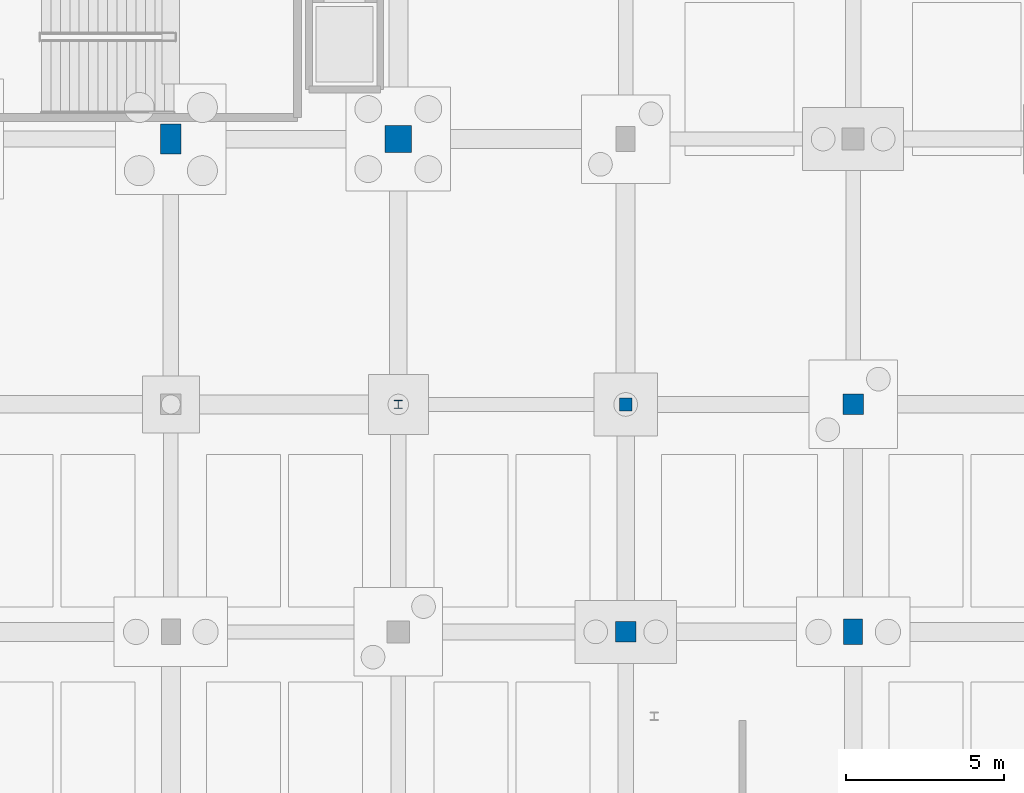
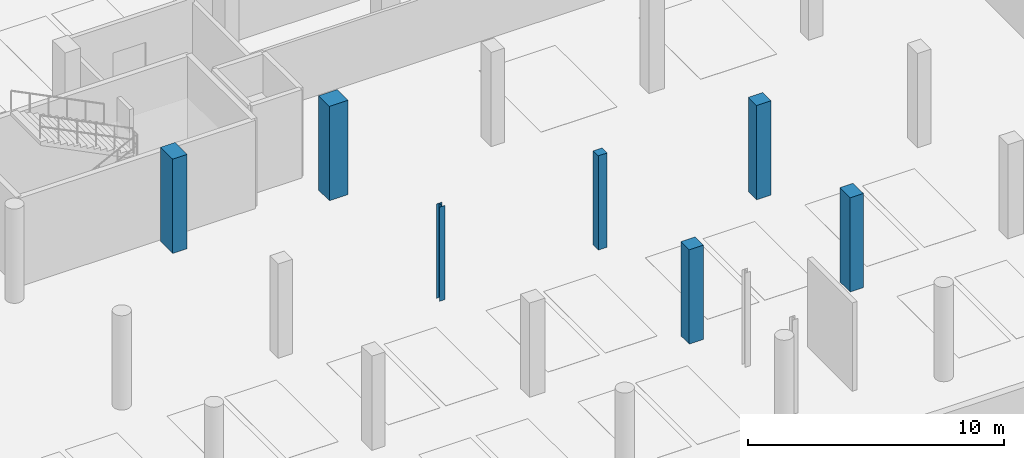
# One storey, part 17 of 35: 7 columns.
"""IFC4 building model written with IfcOpenShell, lengths in metres."""

from ifc_helpers import new_model, si_unit, direction, frame, origin, origin_2d, place, context, subcontext, project, spatial, rectangle, i_section, extrude, material, material_profile, profile_set, type_object, element, save


model = new_model("IFC4")

# Units and contexts
model_context = context("Model", 3, precision=1e-05, world=origin(), true_north=direction((0.0, 1.0)))
body_context = subcontext(model_context, "Body", "Model", "MODEL_VIEW")
ifc_project = project(units=[si_unit("LENGTHUNIT", "METRE"), si_unit("AREAUNIT", "SQUARE_METRE"), si_unit("VOLUMEUNIT", "CUBIC_METRE"), si_unit("PLANEANGLEUNIT", "RADIAN"), si_unit("MASSUNIT", "GRAM", prefix="KILO")], contexts=[model_context])

# Site, building, storey
site_placement = place(None, origin())
site = spatial("IfcSite", under=ifc_project, at=site_placement, CompositionType="ELEMENT")
building_placement = place(site_placement, origin())
building = spatial("IfcBuilding", under=site, at=building_placement, Name="Kalluvel Institute of Natural Sciences", CompositionType="ELEMENT")
storey_placement = place(building_placement, frame((0.0, 0.0, -4.5)))
storey = spatial("IfcBuildingStorey", under=building, at=storey_placement, Name="B1", CompositionType="ELEMENT", Elevation=-4.5)

# Columns
ifc_material_1 = material(Name="Steel E350 Grade 350", Category="steel")
ifc_material_profile_1 = material_profile(ifc_material_1, i_section(OverallWidth=0.25, OverallDepth=0.25, WebThickness=0.0087890625, FlangeThickness=0.009765625, FilletRadius=0.010009765625, at=origin_2d()), Name="ISHB 250")
ifc_profile_set_1 = profile_set([ifc_material_profile_1], Name="Steel E350 Grade 350")
column_type_1 = type_object("IfcColumnType", Name="COL-ISHB250", PredefinedType="COLUMN", material=ifc_profile_set_1)
column_1_placement = place(storey_placement, frame((57.199951171875, 86.0, 0.0), z_axis=(0.0, 0.0, 1.0), x_axis=(1.0, 0.0, 0.0)))
element("IfcColumn", 1, at=column_1_placement, inside=storey, type_object=column_type_1, Name="B1 structural column COL-B1-X572-Y860", PredefinedType="COLUMN", context=body_context, shape_type="SweptSolid", body=[
    extrude(i_section(OverallWidth=0.25, OverallDepth=0.25, WebThickness=0.0087890625, FlangeThickness=0.009765625, FilletRadius=0.010009765625, at=origin_2d()), origin(), (0.0, 0.0, 1.0), 4.5),
])
ifc_material_2 = material(Name="Concrete M40", Category="concrete")
ifc_material_profile_2 = material_profile(ifc_material_2, rectangle(XDim=0.39990234375, YDim=0.39990234375, at=origin_2d()), Name="RC 400x400")
ifc_profile_set_2 = profile_set([ifc_material_profile_2], Name="Concrete M40")
column_type_2 = type_object("IfcColumnType", Name="COL-RC400", PredefinedType="COLUMN", material=ifc_profile_set_2)
column_2_placement = place(storey_placement, frame((64.39990234375, 86.0, 0.0), z_axis=(0.0, 0.0, 1.0), x_axis=(1.0, 0.0, 0.0)))
element("IfcColumn", 2, at=column_2_placement, inside=storey, type_object=column_type_2, Name="B1 structural column COL-B1-X644-Y860", PredefinedType="COLUMN", context=body_context, shape_type="SweptSolid", body=[
    extrude(rectangle(XDim=0.39990234375, YDim=0.39990234375, at=origin_2d()), origin(), (0.0, 0.0, 1.0), 4.5),
])
ifc_material_3 = material(Name="Concrete M50", Category="concrete")
ifc_material_profile_3 = material_profile(ifc_material_3, rectangle(XDim=0.60009765625, YDim=0.800048828125, at=origin_2d()), Name="RC 600x800")
ifc_profile_set_3 = profile_set([ifc_material_profile_3], Name="Concrete M50")
column_type_3 = type_object("IfcColumnType", Name="COL-RC600x800", PredefinedType="COLUMN", material=ifc_profile_set_3)
column_3_placement = place(storey_placement, frame((71.60009765625, 78.800048828125, 0.0), z_axis=(0.0, 0.0, 1.0), x_axis=(1.0, 0.0, 0.0)))
element("IfcColumn", 3, at=column_3_placement, inside=storey, type_object=column_type_3, Name="B1 structural column COL-B1-X716-Y788", PredefinedType="COLUMN", context=body_context, shape_type="SweptSolid", body=[
    extrude(rectangle(XDim=0.60009765625, YDim=0.800048828125, at=origin_2d()), origin(), (0.0, 0.0, 1.0), 4.5),
])
ifc_material_profile_4 = material_profile(ifc_material_2, rectangle(XDim=0.64990234375, YDim=0.64990234375, at=origin_2d()), Name="RC 650x650")
ifc_profile_set_4 = profile_set([ifc_material_profile_4], Name="Concrete M40")
column_type_4 = type_object("IfcColumnType", Name="COL-RC650", PredefinedType="COLUMN", material=ifc_profile_set_4)
for number, where, z_axis, x_axis, name in (
    (4, (64.39990234375, 78.800048828125, 0.0), (0.0, 0.0, 1.0), (1.0, 0.0, 0.0), "B1 structural column COL-B1-X644-Y788"),
    (5, (71.60009765625, 86.0, 0.0), (0.0, 0.0, 1.0), (1.0, 0.0, 0.0), "B1 structural column COL-B1-X716-Y860"),
):
    element("IfcColumn", number, at=place(storey_placement, frame(where, z_axis=z_axis, x_axis=x_axis)), inside=storey, type_object=column_type_4, Name=name, PredefinedType="COLUMN", context=body_context, shape_type="SweptSolid", body=[
        extrude(rectangle(XDim=0.64990234375, YDim=0.64990234375, at=origin_2d()), origin(), (0.0, 0.0, 1.0), 4.5),
    ])
ifc_material_profile_5 = material_profile(ifc_material_3, rectangle(XDim=0.64990234375, YDim=0.949951171875, at=origin_2d()), Name="RC 650x950")
ifc_profile_set_5 = profile_set([ifc_material_profile_5], Name="Concrete M50")
column_type_5 = type_object("IfcColumnType", Name="COL-RC650x950", PredefinedType="COLUMN", material=ifc_profile_set_5)
column_4_placement = place(storey_placement, frame((50.0, 94.39990234375, 0.0), z_axis=(0.0, 0.0, 1.0), x_axis=(1.0, 0.0, 0.0)))
element("IfcColumn", 6, at=column_4_placement, inside=storey, type_object=column_type_5, Name="B1 structural column COL-B1-X500-Y944", PredefinedType="COLUMN", context=body_context, shape_type="SweptSolid", body=[
    extrude(rectangle(XDim=0.64990234375, YDim=0.949951171875, at=origin_2d()), origin(), (0.0, 0.0, 1.0), 4.5),
])
ifc_material_profile_6 = material_profile(ifc_material_3, rectangle(XDim=0.85009765625, YDim=0.85009765625, at=origin_2d()), Name="RC 850x850")
ifc_profile_set_6 = profile_set([ifc_material_profile_6], Name="Concrete M50")
column_type_6 = type_object("IfcColumnType", Name="COL-RC850", PredefinedType="COLUMN", material=ifc_profile_set_6)
column_5_placement = place(storey_placement, frame((57.199951171875, 94.39990234375, 0.0), z_axis=(0.0, 0.0, 1.0), x_axis=(1.0, 0.0, 0.0)))
element("IfcColumn", 7, at=column_5_placement, inside=storey, type_object=column_type_6, Name="B1 structural column COL-B1-X572-Y944", PredefinedType="COLUMN", context=body_context, shape_type="SweptSolid", body=[
    extrude(rectangle(XDim=0.85009765625, YDim=0.85009765625, at=origin_2d()), origin(), (0.0, 0.0, 1.0), 4.5),
])

save(model, "model.ifc")
